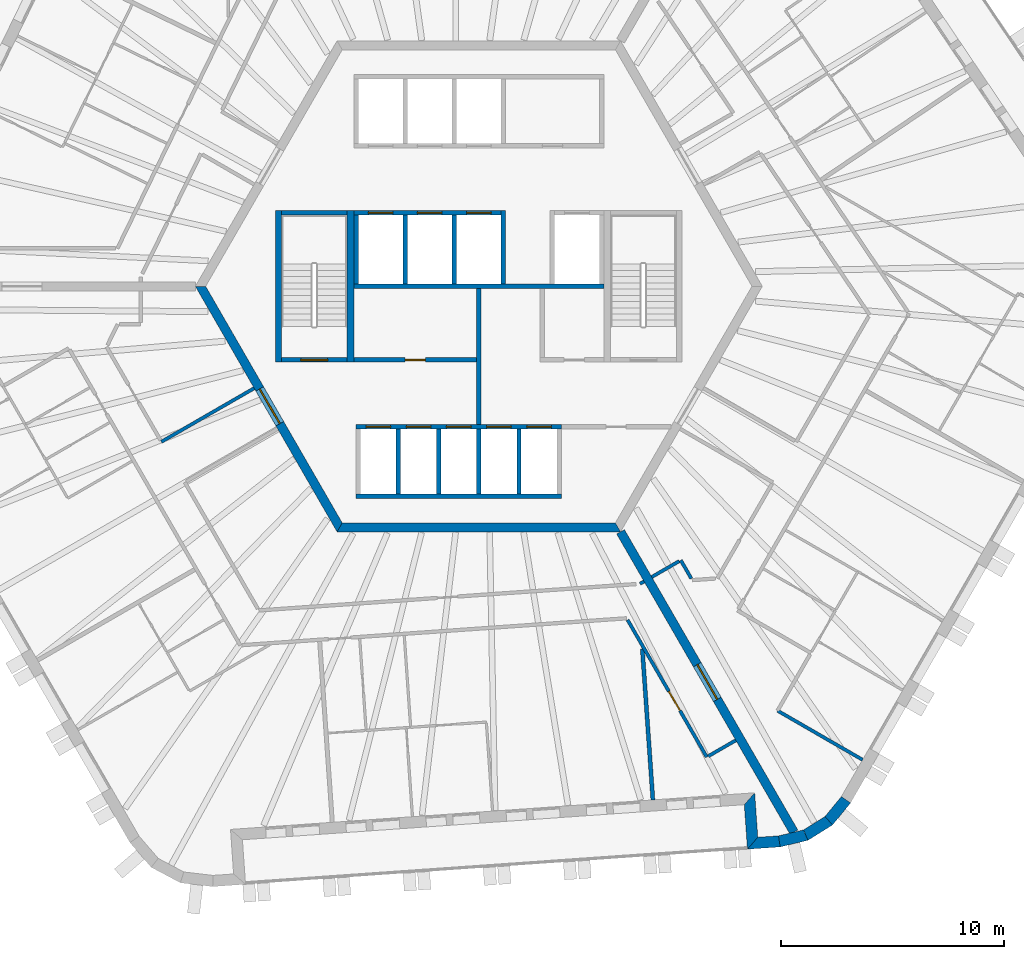
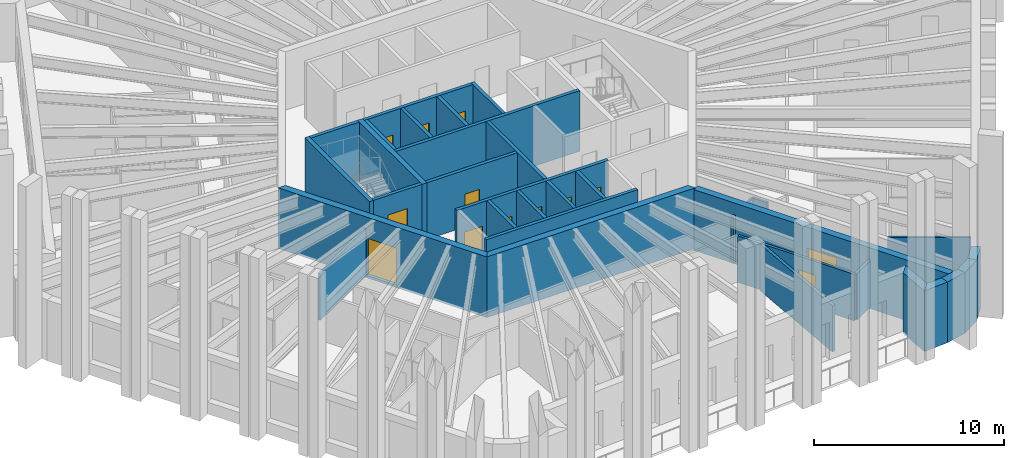
# One storey, part 5 of 13: 34 walls, 13 doors, 13 openings.
"""IFC4 building model written with IfcOpenShell, lengths in metres."""

from ifc_helpers import new_model, si_unit, direction, frame, frame_2d, origin, place, context, subcontext, project, spatial, polyline, rectangle, outline, extrude, material, layer, layer_set, type_object, element, fill, save


model = new_model("IFC4")

# Units and contexts
model_context = context("Model", 3, precision=1e-05, world=origin(), true_north=direction((0.0, 1.0)))
body_context = subcontext(model_context, "Body", "Model", "MODEL_VIEW")
ifc_project = project(units=[si_unit("LENGTHUNIT", "METRE"), si_unit("AREAUNIT", "SQUARE_METRE"), si_unit("VOLUMEUNIT", "CUBIC_METRE"), si_unit("PLANEANGLEUNIT", "RADIAN"), si_unit("MASSUNIT", "GRAM", prefix="KILO")], contexts=[model_context])

# Site, building, storey
site_placement = place(None, origin())
site = spatial("IfcSite", under=ifc_project, at=site_placement, CompositionType="ELEMENT")
building_placement = place(site_placement, origin())
building = spatial("IfcBuilding", under=site, at=building_placement, Name="Tarnside Tower", CompositionType="ELEMENT")
storey_placement = place(building_placement, frame((0.0, 0.0, 279.60009765625)))
storey = spatial("IfcBuildingStorey", under=building, at=storey_placement, Name="L67", CompositionType="ELEMENT", Elevation=279.60009765625)

# Wall, opening, door
ifc_material_1 = material(Name="Concrete C40/50", Category="concrete")
ifc_layer_1 = layer(ifc_material_1, 0.199951171875)
ifc_layer_set_1 = layer_set([ifc_layer_1], Name="Core room partition 200 C40/50")
wall_type_1 = type_object("IfcWallType", Name="Core room partition 200 C40/50", PredefinedType="PARTITIONING", material=ifc_layer_set_1)
wall_1_placement = place(storey_placement, frame((-5.60009765625, -3.300048828125, 0.0), z_axis=(0.0, 0.0, 1.0), x_axis=(1.0, 0.0, 0.0)))
wall_1 = element("IfcWall", 1, at=wall_1_placement, inside=storey, type_object=wall_type_1, Name="L67 core partition W3", PredefinedType="PARTITIONING", context=body_context, shape_type="SweptSolid", body=[
    extrude(rectangle(XDim=5.5, YDim=0.199951171875, at=frame_2d((2.75, 0.0))), origin(), (0.0, 0.0, 1.0), 3.64990234375),
])
opening_1_placement = place(wall_1_placement, frame((2.300048828125, 0.0, 0.0)))
opening_1 = element("IfcOpeningElement", 2, at=opening_1_placement, cuts=wall_1, Name="Opening CD-room", PredefinedType="OPENING", context=body_context, shape_type="SweptSolid", body=[
    extrude(rectangle(XDim=0.89990234375, YDim=2.10009765625, at=frame_2d((0.449951171875, 1.050048828125))), frame((0.0, 0.10986328125, 0.0), z_axis=(0.0, -1.0, 0.0), x_axis=(1.0, 0.0, 0.0)), (0.0, 0.0, 1.0), 0.219970703125),
])
ifc_material_2 = material(Name="Steel fire door", Category="steel")
door_type_1 = type_object("IfcDoorType", Name="Room door FD60 900x2100", OperationType="NOTDEFINED", PredefinedType="DOOR", material=ifc_material_2)
door_1_placement = place(opening_1_placement, origin())
door_1 = element("IfcDoor", 3, at=door_1_placement, inside=storey, type_object=door_type_1, Name="L67 core room door W3D", OperationType="SINGLE_SWING_LEFT", OverallHeight=2.10009765625, OverallWidth=0.89990234375, PredefinedType="DOOR", context=body_context, shape_type="SweptSolid", body=[
    extrude(rectangle(XDim=0.89990234375, YDim=2.10009765625, at=frame_2d((0.449951171875, 1.050048828125))), frame((0.0, 0.02490234375, 0.0), z_axis=(0.0, -1.0, 0.0), x_axis=(1.0, 0.0, 0.0)), (0.0, 0.0, 1.0), 0.050048828125),
])
fill(opening_1, door_1)

# Wall
wall_2_placement = place(storey_placement, frame((0.0, -6.199951171875, 0.0), z_axis=(0.0, 0.0, 1.0), x_axis=(0.0, 1.0, 0.0)))
element("IfcWall", 4, at=wall_2_placement, inside=storey, type_object=wall_type_1, Name="L67 core partition X0", PredefinedType="PARTITIONING", context=body_context, shape_type="SweptSolid", body=[
    extrude(rectangle(XDim=6.099853515625, YDim=0.199951171875, at=frame_2d((3.0498046875, 0.0))), origin(), (0.0, 0.0, 1.0), 3.64990234375),
])

# Wall, opening, door
ifc_material_3 = material(Name="Concrete C60/75", Category="concrete")
ifc_layer_2 = layer(ifc_material_3, 0.39990234375)
ifc_layer_set_2 = layer_set([ifc_layer_2], Name="Core wall Z3 400 C60/75")
wall_type_2 = type_object("IfcWallType", Name="Core wall Z3 400 C60/75", PredefinedType="SHEAR", material=ifc_layer_set_2)
wall_3_placement = place(storey_placement, frame((-12.470703125, 0.0, -0.150146484375), z_axis=(0.0, 0.0, 1.0), x_axis=(0.499996419489, -0.866027470984, 0.0)))
wall_3 = element("IfcWall", 5, at=wall_3_placement, inside=storey, type_object=wall_type_2, Name="L67 core wall face 3", PredefinedType="SHEAR", context=body_context, shape_type="SweptSolid", body=[
    extrude(outline(polyline([(-0.115478515625, -0.199951171875), (12.586181640625, -0.199951171875), (12.355224609375, 0.199951171875), (0.115478515625, 0.199951171875), (-0.115478515625, -0.199951171875)])), origin(), (0.0, 0.0, 1.0), 3.900146484375),
])
opening_2_placement = place(wall_3_placement, frame((5.306396484375, 0.0, 0.14990234375)))
opening_2 = element("IfcOpeningElement", 6, at=opening_2_placement, cuts=wall_3, Name="Opening CD-FFL", PredefinedType="OPENING", context=body_context, shape_type="SweptSolid", body=[
    extrude(rectangle(XDim=1.800048828125, YDim=2.39990234375, at=frame_2d((0.89990234375, 1.199951171875))), frame((0.0, 0.2099609375, 0.0), z_axis=(0.0, -1.0, 0.0), x_axis=(1.0, 0.0, 0.0)), (0.0, 0.0, 1.0), 0.419921875),
])
door_type_2 = type_object("IfcDoorType", Name="Firefighting lobby double door FD60S 1800x2400", OperationType="NOTDEFINED", PredefinedType="DOOR", material=ifc_material_2)
door_2_placement = place(opening_2_placement, origin())
door_2 = element("IfcDoor", 7, at=door_2_placement, inside=storey, type_object=door_type_2, Name="L67 core door P3", OperationType="DOUBLE_DOOR_SINGLE_SWING", OverallHeight=2.39990234375, OverallWidth=1.800048828125, PredefinedType="DOOR", context=body_context, shape_type="SweptSolid", body=[
    extrude(rectangle(XDim=1.800048828125, YDim=2.39990234375, at=frame_2d((0.89990234375, 1.199951171875))), frame((0.0, 0.02490234375, 0.0), z_axis=(0.0, -1.0, 0.0), x_axis=(1.0, 0.0, 0.0)), (0.0, 0.0, 1.0), 0.050048828125),
])
fill(opening_2, door_2)

# Wall
wall_4_placement = place(storey_placement, frame((-6.2353515625, -10.800048828125, -0.150146484375), z_axis=(0.0, 0.0, 1.0), x_axis=(1.0, 0.0, 0.0)))
element("IfcWall", 8, at=wall_4_placement, inside=storey, type_object=wall_type_2, Name="L67 core wall face 4", PredefinedType="SHEAR", context=body_context, shape_type="SweptSolid", body=[
    extrude(outline(polyline([(-0.115478515625, -0.199951171875), (12.586181640625, -0.199951171875), (12.355224609375, 0.199951171875), (0.115478515625, 0.199951171875), (-0.115478515625, -0.199951171875)])), origin(), (0.0, 0.0, 1.0), 3.900146484375),
])

# Wall, opening, door
wall_5_placement = place(storey_placement, frame((6.350830078125, -11.0, -0.150146484375), z_axis=(0.0, 0.0, 1.0), x_axis=(0.499998894578, -0.866026041999, 0.0)))
wall_5 = element("IfcWall", 9, at=wall_5_placement, inside=storey, type_object=wall_type_2, Name="L67 spine wall 3", PredefinedType="SHEAR", context=body_context, shape_type="SweptSolid", body=[
    extrude(rectangle(XDim=15.54443359375, YDim=0.39990234375, at=frame_2d((7.772216796875, 0.0))), origin(), (0.0, 0.0, 1.0), 3.900146484375),
])
opening_3_placement = place(wall_5_placement, frame((6.872314453125, 0.0, 0.14990234375)))
opening_3 = element("IfcOpeningElement", 10, at=opening_3_placement, cuts=wall_5, Name="Opening CD-SPN", PredefinedType="OPENING", context=body_context, shape_type="SweptSolid", body=[
    extrude(rectangle(XDim=1.800048828125, YDim=2.39990234375, at=frame_2d((0.89990234375, 1.199951171875))), frame((0.0, 0.2099609375, 0.0), z_axis=(0.0, -1.0, 0.0), x_axis=(1.0, 0.0, 0.0)), (0.0, 0.0, 1.0), 0.419921875),
])
door_type_3 = type_object("IfcDoorType", Name="Spine passage double door FD60 1800x2400", OperationType="NOTDEFINED", PredefinedType="DOOR", material=ifc_material_2)
door_3_placement = place(opening_3_placement, origin())
door_3 = element("IfcDoor", 11, at=door_3_placement, inside=storey, type_object=door_type_3, Name="L67 spine passage door 3", OperationType="DOUBLE_DOOR_SINGLE_SWING", OverallHeight=2.39990234375, OverallWidth=1.800048828125, PredefinedType="DOOR", context=body_context, shape_type="SweptSolid", body=[
    extrude(rectangle(XDim=1.800048828125, YDim=2.39990234375, at=frame_2d((0.89990234375, 1.199951171875))), frame((0.0, 0.02490234375, 0.0), z_axis=(0.0, -1.0, 0.0), x_axis=(1.0, 0.0, 0.0)), (0.0, 0.0, 1.0), 0.050048828125),
])
fill(opening_3, door_3)

ifc_material_4 = material(Name="Gypsum board partition on steel studs", Category="steel")
ifc_layer_3 = layer(ifc_material_4, 0.14990234375)
ifc_layer_set_3 = layer_set([ifc_layer_3], Name="Corridor wall 150 EI 60")
wall_type_3 = type_object("IfcWallType", Name="Corridor wall 150 EI 60", PredefinedType="PARTITIONING", material=ifc_layer_set_3)
wall_6_placement = place(storey_placement, frame((6.666259765625, -14.9462890625, 0.0), z_axis=(0.0, 0.0, 1.0), x_axis=(0.499979539361, -0.866037216418, 0.0)))
wall_6 = element("IfcWall", 12, at=wall_6_placement, inside=storey, type_object=wall_type_3, Name="Corridor wall 22041", PredefinedType="PARTITIONING", context=body_context, shape_type="SweptSolid", body=[
    extrude(rectangle(XDim=7.096923828125, YDim=0.14990234375, at=frame_2d((3.54833984375, 0.0))), origin(), (0.0, 0.0, 1.0), 2.98779296875),
])
opening_4_placement = place(wall_6_placement, frame((3.696044921875, 0.0, 0.0)))
opening_4 = element("IfcOpeningElement", 13, at=opening_4_placement, cuts=wall_6, Name="Opening D-E1", PredefinedType="OPENING", context=body_context, shape_type="SweptSolid", body=[
    extrude(rectangle(XDim=1.0, YDim=2.10009765625, at=frame_2d((0.5, 1.050048828125))), frame((0.0, 0.0849609375, 0.0), z_axis=(0.0, -1.0, 0.0), x_axis=(1.0, 0.0, 0.0)), (0.0, 0.0, 1.0), 0.169921875),
])
ifc_material_5 = material(Name="Timber door leaf", Category="wood")
door_type_4 = type_object("IfcDoorType", Name="Unit entrance door 1000 FD30S", OperationType="NOTDEFINED", PredefinedType="DOOR", material=ifc_material_5)
door_4_placement = place(opening_4_placement, origin())
door_4 = element("IfcDoor", 14, at=door_4_placement, inside=storey, type_object=door_type_4, Name="Unit door 22054", OperationType="SINGLE_SWING_RIGHT", OverallHeight=2.10009765625, OverallWidth=1.0, PredefinedType="DOOR", context=body_context, shape_type="SweptSolid", body=[
    extrude(rectangle(XDim=1.0, YDim=2.10009765625, at=frame_2d((0.5, 1.050048828125))), frame((0.0, 0.02490234375, 0.0), z_axis=(0.0, -1.0, 0.0), x_axis=(1.0, 0.0, 0.0)), (0.0, 0.0, 1.0), 0.050048828125),
])
fill(opening_4, door_4)

# Walls
wall_7_placement = place(storey_placement, frame((10.27978515625, -21.054931640625, 0.0), z_axis=(0.0, 0.0, 1.0), x_axis=(0.866020080793, 0.500009219579, 0.0)))
element("IfcWall", 15, at=wall_7_placement, inside=storey, type_object=wall_type_3, Name="Corridor wall 22045", PredefinedType="PARTITIONING", context=body_context, shape_type="SweptSolid", body=[
    extrude(rectangle(XDim=1.4248046875, YDim=0.14990234375, at=frame_2d((0.71240234375, 0.0))), origin(), (0.0, 0.0, 1.0), 2.98779296875),
])
wall_8_placement = place(storey_placement, frame((-10.065673828125, -4.565673828125, 0.0), z_axis=(0.0, 0.0, 1.0), x_axis=(-0.866037363387, -0.499979284789, 0.0)))
element("IfcWall", 16, at=wall_8_placement, inside=storey, type_object=wall_type_3, Name="Corridor wall 22046", PredefinedType="PARTITIONING", context=body_context, shape_type="SweptSolid", body=[
    extrude(rectangle(XDim=4.800048828125, YDim=0.14990234375, at=frame_2d((2.39990234375, 0.0))), origin(), (0.0, 0.0, 1.0), 2.98779296875),
])
wall_9_placement = place(storey_placement, frame((7.40380859375, -13.2236328125, 0.0), z_axis=(0.0, 0.0, 1.0), x_axis=(-0.866088799389, -0.499890179513, 0.0)))
element("IfcWall", 17, at=wall_9_placement, inside=storey, type_object=wall_type_3, Name="Corridor wall 22051", PredefinedType="PARTITIONING", context=body_context, shape_type="SweptSolid", body=[
    extrude(rectangle(XDim=0.2099609375, YDim=0.14990234375, at=frame_2d((0.10498046875, 0.0))), origin(), (0.0, 0.0, 1.0), 2.98779296875),
])
wall_10_placement = place(storey_placement, frame((17.196044921875, -21.215576171875, 0.0), z_axis=(0.0, 0.0, 1.0), x_axis=(-0.866010893236, 0.500025132165, 0.0)))
element("IfcWall", 18, at=wall_10_placement, inside=storey, type_object=wall_type_3, Name="Corridor wall 22060", PredefinedType="PARTITIONING", context=body_context, shape_type="SweptSolid", body=[
    extrude(rectangle(XDim=4.398681640625, YDim=0.14990234375, at=frame_2d((2.19921875, 0.0))), origin(), (0.0, 0.0, 1.0), 2.98779296875),
])
wall_11_placement = place(storey_placement, frame((9.52197265625, -13.0927734375, 0.0), z_axis=(0.0, 0.0, 1.0), x_axis=(-0.499804398801, 0.866138304741, 0.0)))
element("IfcWall", 19, at=wall_11_placement, inside=storey, type_object=wall_type_3, Name="Corridor wall 22079", PredefinedType="PARTITIONING", context=body_context, shape_type="SweptSolid", body=[
    extrude(rectangle(XDim=0.94580078125, YDim=0.14990234375, at=frame_2d((0.472900390625, 0.0))), origin(), (0.0, 0.0, 1.0), 2.98779296875),
])
wall_12_placement = place(storey_placement, frame((8.984130859375, -12.311279296875, 0.0), z_axis=(0.0, 0.0, 1.0), x_axis=(-0.866020080793, -0.500009219579, 0.0)))
element("IfcWall", 20, at=wall_12_placement, inside=storey, type_object=wall_type_3, Name="Corridor wall 22080", PredefinedType="PARTITIONING", context=body_context, shape_type="SweptSolid", body=[
    extrude(rectangle(XDim=1.4248046875, YDim=0.14990234375, at=frame_2d((0.71240234375, 0.0))), origin(), (0.0, 0.0, 1.0), 2.98779296875),
])
ifc_layer_4 = layer(ifc_material_4, 0.179931640625)
ifc_layer_set_4 = layer_set([ifc_layer_4], Name="Demising wall 180 EI 60")
wall_type_4 = type_object("IfcWallType", Name="Demising wall 180 EI 60", PredefinedType="PARTITIONING", material=ifc_layer_set_4)
wall_13_placement = place(storey_placement, frame((7.799560546875, -23.011962890625, 0.0), z_axis=(0.0, 0.0, 1.0), x_axis=(-0.069757205717, 0.997563999075, 0.0)))
element("IfcWall", 21, at=wall_13_placement, inside=storey, type_object=wall_type_4, Name="Demising wall 22140", PredefinedType="PARTITIONING", context=body_context, shape_type="SweptSolid", body=[
    extrude(rectangle(XDim=6.789794921875, YDim=0.179931640625, at=frame_2d((3.39501953125, 0.0))), origin(), (0.0, 0.0, 1.0), 2.98779296875),
])

# Wall, openings, doors
ifc_layer_5 = layer(ifc_material_1, 0.199951171875)
ifc_layer_set_5 = layer_set([ifc_layer_5], Name="Lift shaft wall 200 C40/50")
wall_type_5 = type_object("IfcWallType", Name="Lift shaft wall 200 C40/50", PredefinedType="SHEAR", material=ifc_layer_set_5)
wall_14_placement = place(storey_placement, frame((-5.60009765625, 3.300048828125, -0.25), z_axis=(0.0, 0.0, 1.0), x_axis=(1.0, 0.0, 0.0)))
wall_14 = element("IfcWall", 22, at=wall_14_placement, inside=storey, type_object=wall_type_5, Name="L67 lift shaft front wall R2", PredefinedType="SHEAR", context=body_context, shape_type="SweptSolid", body=[
    extrude(rectangle(XDim=6.60009765625, YDim=0.199951171875, at=frame_2d((3.300048828125, 0.0))), origin(), (0.0, 0.0, 1.0), 3.89990234375),
])
opening_5_placement = place(wall_14_placement, frame((0.64990234375, 0.0, 0.25)))
opening_5 = element("IfcOpeningElement", 23, at=opening_5_placement, cuts=wall_14, Name="Opening LD", PredefinedType="OPENING", context=body_context, shape_type="SweptSolid", body=[
    extrude(rectangle(XDim=1.10009765625, YDim=2.10009765625, at=frame_2d((0.550048828125, 1.050048828125))), frame((0.0, 0.10986328125, 0.0), z_axis=(0.0, -1.0, 0.0), x_axis=(1.0, 0.0, 0.0)), (0.0, 0.0, 1.0), 0.219970703125),
])
opening_6_placement = place(wall_14_placement, frame((2.85009765625, 0.0, 0.25)))
opening_6 = element("IfcOpeningElement", 24, at=opening_6_placement, cuts=wall_14, Name="Opening LD", PredefinedType="OPENING", context=body_context, shape_type="SweptSolid", body=[
    extrude(rectangle(XDim=1.10009765625, YDim=2.10009765625, at=frame_2d((0.550048828125, 1.050048828125))), frame((0.0, 0.10986328125, 0.0), z_axis=(0.0, -1.0, 0.0), x_axis=(1.0, 0.0, 0.0)), (0.0, 0.0, 1.0), 0.219970703125),
])
opening_7_placement = place(wall_14_placement, frame((5.050048828125, 0.0, 0.25)))
opening_7 = element("IfcOpeningElement", 25, at=opening_7_placement, cuts=wall_14, Name="Opening LD", PredefinedType="OPENING", context=body_context, shape_type="SweptSolid", body=[
    extrude(rectangle(XDim=1.10009765625, YDim=2.10009765625, at=frame_2d((0.550048828125, 1.050048828125))), frame((0.0, 0.10986328125, 0.0), z_axis=(0.0, -1.0, 0.0), x_axis=(1.0, 0.0, 0.0)), (0.0, 0.0, 1.0), 0.219970703125),
])
ifc_material_6 = material(Name="Stainless steel", Category="steel")
door_type_5 = type_object("IfcDoorType", Name="Lift landing door 1100x2100", OperationType="NOTDEFINED", PredefinedType="DOOR", material=ifc_material_6)
door_5_placement = place(opening_5_placement, origin())
door_5 = element("IfcDoor", 26, at=door_5_placement, inside=storey, type_object=door_type_5, Name="High-rise lift 4 landing door L67", OperationType="SLIDING_TO_LEFT", OverallHeight=2.10009765625, OverallWidth=1.10009765625, PredefinedType="DOOR", context=body_context, shape_type="SweptSolid", body=[
    extrude(rectangle(XDim=1.10009765625, YDim=2.10009765625, at=frame_2d((0.550048828125, 1.050048828125))), frame((0.0, 0.02490234375, 0.0), z_axis=(0.0, -1.0, 0.0), x_axis=(1.0, 0.0, 0.0)), (0.0, 0.0, 1.0), 0.050048828125),
])
fill(opening_5, door_5)
door_6_placement = place(opening_6_placement, origin())
door_6 = element("IfcDoor", 27, at=door_6_placement, inside=storey, type_object=door_type_5, Name="High-rise lift 5 landing door L67", OperationType="SLIDING_TO_LEFT", OverallHeight=2.10009765625, OverallWidth=1.10009765625, PredefinedType="DOOR", context=body_context, shape_type="SweptSolid", body=[
    extrude(rectangle(XDim=1.10009765625, YDim=2.10009765625, at=frame_2d((0.550048828125, 1.050048828125))), frame((0.0, 0.02490234375, 0.0), z_axis=(0.0, -1.0, 0.0), x_axis=(1.0, 0.0, 0.0)), (0.0, 0.0, 1.0), 0.050048828125),
])
fill(opening_6, door_6)
door_7_placement = place(opening_7_placement, origin())
door_7 = element("IfcDoor", 28, at=door_7_placement, inside=storey, type_object=door_type_5, Name="High-rise lift 6 landing door L67", OperationType="SLIDING_TO_LEFT", OverallHeight=2.10009765625, OverallWidth=1.10009765625, PredefinedType="DOOR", context=body_context, shape_type="SweptSolid", body=[
    extrude(rectangle(XDim=1.10009765625, YDim=2.10009765625, at=frame_2d((0.550048828125, 1.050048828125))), frame((0.0, 0.02490234375, 0.0), z_axis=(0.0, -1.0, 0.0), x_axis=(1.0, 0.0, 0.0)), (0.0, 0.0, 1.0), 0.050048828125),
])
fill(opening_7, door_7)

# Walls
wall_15_placement = place(storey_placement, frame((-5.60009765625, 0.0, -0.25), z_axis=(0.0, 0.0, 1.0), x_axis=(1.0, 0.0, 0.0)))
element("IfcWall", 29, at=wall_15_placement, inside=storey, type_object=wall_type_5, Name="L67 lift shaft back wall R2", PredefinedType="SHEAR", context=body_context, shape_type="SweptSolid", body=[
    extrude(rectangle(XDim=11.2001953125, YDim=0.199951171875, at=frame_2d((5.60009765625, 0.0))), origin(), (0.0, 0.0, 1.0), 3.89990234375),
])
for number, where, z_axis, x_axis, name in (
    (30, (-5.5, 0.10009765625, -0.25), (0.0, 0.0, 1.0), (0.0, 1.0, 0.0), "L67 lift shaft partition R21"),
    (31, (-3.300048828125, 0.10009765625, -0.25), (0.0, 0.0, 1.0), (0.0, 1.0, 0.0), "L67 lift shaft partition R22"),
    (32, (-1.10009765625, 0.10009765625, -0.25), (0.0, 0.0, 1.0), (0.0, 1.0, 0.0), "L67 lift shaft partition R23"),
):
    element("IfcWall", number, at=place(storey_placement, frame(where, z_axis=z_axis, x_axis=x_axis)), inside=storey, type_object=wall_type_5, Name=name, PredefinedType="SHEAR", context=body_context, shape_type="SweptSolid", body=[
        extrude(rectangle(XDim=3.099853515625, YDim=0.199951171875, at=frame_2d((1.5498046875, 0.0))), origin(), (0.0, 0.0, 1.0), 3.89990234375),
    ])
wall_16_placement = place(storey_placement, frame((1.10009765625, 0.10009765625, -0.25), z_axis=(0.0, 0.0, 1.0), x_axis=(0.0, 1.0, 0.0)))
element("IfcWall", 33, at=wall_16_placement, inside=storey, type_object=wall_type_5, Name="L67 lift shaft partition R24", PredefinedType="SHEAR", context=body_context, shape_type="SweptSolid", body=[
    extrude(rectangle(XDim=3.2998046875, YDim=0.199951171875, at=frame_2d((1.64990234375, 0.0))), origin(), (0.0, 0.0, 1.0), 3.89990234375),
])

# Wall, openings, doors
wall_17_placement = place(storey_placement, frame((-5.5, -6.300048828125, -0.25), z_axis=(0.0, 0.0, 1.0), x_axis=(1.0, 0.0, 0.0)))
wall_17 = element("IfcWall", 34, at=wall_17_placement, inside=storey, type_object=wall_type_5, Name="L67 lift shaft front wall R4", PredefinedType="SHEAR", context=body_context, shape_type="SweptSolid", body=[
    extrude(rectangle(XDim=9.199951171875, YDim=0.199951171875, at=frame_2d((4.60009765625, 0.0))), origin(), (0.0, 0.0, 1.0), 3.89990234375),
])
opening_8_placement = place(wall_17_placement, frame((0.449951171875, 0.0, 0.25)))
opening_8 = element("IfcOpeningElement", 35, at=opening_8_placement, cuts=wall_17, Name="Opening LDF", PredefinedType="OPENING", context=body_context, shape_type="SweptSolid", body=[
    extrude(rectangle(XDim=1.10009765625, YDim=2.10009765625, at=frame_2d((0.550048828125, 1.050048828125))), frame((0.0, 0.10986328125, 0.0), z_axis=(0.0, -1.0, 0.0), x_axis=(1.0, 0.0, 0.0)), (0.0, 0.0, 1.0), 0.219970703125),
])
opening_9_placement = place(wall_17_placement, frame((2.25, 0.0, 0.25)))
opening_9 = element("IfcOpeningElement", 36, at=opening_9_placement, cuts=wall_17, Name="Opening LDF", PredefinedType="OPENING", context=body_context, shape_type="SweptSolid", body=[
    extrude(rectangle(XDim=1.10009765625, YDim=2.10009765625, at=frame_2d((0.550048828125, 1.050048828125))), frame((0.0, 0.10986328125, 0.0), z_axis=(0.0, -1.0, 0.0), x_axis=(1.0, 0.0, 0.0)), (0.0, 0.0, 1.0), 0.219970703125),
])
opening_10_placement = place(wall_17_placement, frame((4.050048828125, 0.0, 0.25)))
opening_10 = element("IfcOpeningElement", 37, at=opening_10_placement, cuts=wall_17, Name="Opening LDF", PredefinedType="OPENING", context=body_context, shape_type="SweptSolid", body=[
    extrude(rectangle(XDim=1.10009765625, YDim=2.10009765625, at=frame_2d((0.550048828125, 1.050048828125))), frame((0.0, 0.10986328125, 0.0), z_axis=(0.0, -1.0, 0.0), x_axis=(1.0, 0.0, 0.0)), (0.0, 0.0, 1.0), 0.219970703125),
])
opening_11_placement = place(wall_17_placement, frame((5.85009765625, 0.0, 0.25)))
opening_11 = element("IfcOpeningElement", 38, at=opening_11_placement, cuts=wall_17, Name="Opening LDF", PredefinedType="OPENING", context=body_context, shape_type="SweptSolid", body=[
    extrude(rectangle(XDim=1.10009765625, YDim=2.10009765625, at=frame_2d((0.550048828125, 1.050048828125))), frame((0.0, 0.10986328125, 0.0), z_axis=(0.0, -1.0, 0.0), x_axis=(1.0, 0.0, 0.0)), (0.0, 0.0, 1.0), 0.219970703125),
])
opening_12_placement = place(wall_17_placement, frame((7.64990234375, 0.0, 0.25)))
opening_12 = element("IfcOpeningElement", 39, at=opening_12_placement, cuts=wall_17, Name="Opening LDF", PredefinedType="OPENING", context=body_context, shape_type="SweptSolid", body=[
    extrude(rectangle(XDim=1.10009765625, YDim=2.10009765625, at=frame_2d((0.550048828125, 1.050048828125))), frame((0.0, 0.10986328125, 0.0), z_axis=(0.0, -1.0, 0.0), x_axis=(1.0, 0.0, 0.0)), (0.0, 0.0, 1.0), 0.219970703125),
])
door_type_6 = type_object("IfcDoorType", Name="Lift landing door 1100x2100 EI 120", OperationType="NOTDEFINED", PredefinedType="DOOR", material=ifc_material_6)
door_8_placement = place(opening_8_placement, origin())
door_8 = element("IfcDoor", 40, at=door_8_placement, inside=storey, type_object=door_type_6, Name="Firefighting lift 1 landing door L67", OperationType="SLIDING_TO_LEFT", OverallHeight=2.10009765625, OverallWidth=1.10009765625, PredefinedType="DOOR", context=body_context, shape_type="SweptSolid", body=[
    extrude(rectangle(XDim=1.10009765625, YDim=2.10009765625, at=frame_2d((0.550048828125, 1.050048828125))), frame((0.0, 0.02490234375, 0.0), z_axis=(0.0, -1.0, 0.0), x_axis=(1.0, 0.0, 0.0)), (0.0, 0.0, 1.0), 0.050048828125),
])
fill(opening_8, door_8)
door_9_placement = place(opening_9_placement, origin())
door_9 = element("IfcDoor", 41, at=door_9_placement, inside=storey, type_object=door_type_6, Name="Firefighting lift 2 landing door L67", OperationType="SLIDING_TO_LEFT", OverallHeight=2.10009765625, OverallWidth=1.10009765625, PredefinedType="DOOR", context=body_context, shape_type="SweptSolid", body=[
    extrude(rectangle(XDim=1.10009765625, YDim=2.10009765625, at=frame_2d((0.550048828125, 1.050048828125))), frame((0.0, 0.02490234375, 0.0), z_axis=(0.0, -1.0, 0.0), x_axis=(1.0, 0.0, 0.0)), (0.0, 0.0, 1.0), 0.050048828125),
])
fill(opening_9, door_9)
door_10_placement = place(opening_10_placement, origin())
door_10 = element("IfcDoor", 42, at=door_10_placement, inside=storey, type_object=door_type_6, Name="Firefighting lift 3 landing door L67", OperationType="SLIDING_TO_LEFT", OverallHeight=2.10009765625, OverallWidth=1.10009765625, PredefinedType="DOOR", context=body_context, shape_type="SweptSolid", body=[
    extrude(rectangle(XDim=1.10009765625, YDim=2.10009765625, at=frame_2d((0.550048828125, 1.050048828125))), frame((0.0, 0.02490234375, 0.0), z_axis=(0.0, -1.0, 0.0), x_axis=(1.0, 0.0, 0.0)), (0.0, 0.0, 1.0), 0.050048828125),
])
fill(opening_10, door_10)
door_11_placement = place(opening_11_placement, origin())
door_11 = element("IfcDoor", 43, at=door_11_placement, inside=storey, type_object=door_type_6, Name="Firefighting lift 4 landing door L67", OperationType="SLIDING_TO_LEFT", OverallHeight=2.10009765625, OverallWidth=1.10009765625, PredefinedType="DOOR", context=body_context, shape_type="SweptSolid", body=[
    extrude(rectangle(XDim=1.10009765625, YDim=2.10009765625, at=frame_2d((0.550048828125, 1.050048828125))), frame((0.0, 0.02490234375, 0.0), z_axis=(0.0, -1.0, 0.0), x_axis=(1.0, 0.0, 0.0)), (0.0, 0.0, 1.0), 0.050048828125),
])
fill(opening_11, door_11)
door_12_placement = place(opening_12_placement, origin())
door_12 = element("IfcDoor", 44, at=door_12_placement, inside=storey, type_object=door_type_6, Name="Firefighting lift 5 landing door L67", OperationType="SLIDING_TO_LEFT", OverallHeight=2.10009765625, OverallWidth=1.10009765625, PredefinedType="DOOR", context=body_context, shape_type="SweptSolid", body=[
    extrude(rectangle(XDim=1.10009765625, YDim=2.10009765625, at=frame_2d((0.550048828125, 1.050048828125))), frame((0.0, 0.02490234375, 0.0), z_axis=(0.0, -1.0, 0.0), x_axis=(1.0, 0.0, 0.0)), (0.0, 0.0, 1.0), 0.050048828125),
])
fill(opening_12, door_12)

# Walls
wall_18_placement = place(storey_placement, frame((-5.5, -9.39990234375, -0.25), z_axis=(0.0, 0.0, 1.0), x_axis=(1.0, 0.0, 0.0)))
element("IfcWall", 45, at=wall_18_placement, inside=storey, type_object=wall_type_5, Name="L67 lift shaft back wall R4", PredefinedType="SHEAR", context=body_context, shape_type="SweptSolid", body=[
    extrude(rectangle(XDim=9.199951171875, YDim=0.199951171875, at=frame_2d((4.60009765625, 0.0))), origin(), (0.0, 0.0, 1.0), 3.89990234375),
])
for number, where, z_axis, x_axis, name in (
    (46, (-3.60009765625, -9.300048828125, -0.25), (0.0, 0.0, 1.0), (0.0, 1.0, 0.0), "L67 lift shaft partition R42"),
    (47, (-1.800048828125, -9.300048828125, -0.25), (0.0, 0.0, 1.0), (0.0, 1.0, 0.0), "L67 lift shaft partition R43"),
    (48, (0.0, -9.300048828125, -0.25), (0.0, 0.0, 1.0), (0.0, 1.0, 0.0), "L67 lift shaft partition R44"),
    (49, (1.800048828125, -9.300048828125, -0.25), (0.0, 0.0, 1.0), (0.0, 1.0, 0.0), "L67 lift shaft partition R45"),
):
    element("IfcWall", number, at=place(storey_placement, frame(where, z_axis=z_axis, x_axis=x_axis)), inside=storey, type_object=wall_type_5, Name=name, PredefinedType="SHEAR", context=body_context, shape_type="SweptSolid", body=[
        extrude(rectangle(XDim=2.900146484375, YDim=0.199951171875, at=frame_2d((1.4501953125, 0.0))), origin(), (0.0, 0.0, 1.0), 3.89990234375),
    ])
wall_19_placement = place(storey_placement, frame((-8.85009765625, 3.300048828125, -0.25), z_axis=(0.0, 0.0, 1.0), x_axis=(1.0, 0.0, 0.0)))
element("IfcWall", 50, at=wall_19_placement, inside=storey, type_object=wall_type_5, Name="L67 stair 2 enclosure cap wall n", PredefinedType="SHEAR", context=body_context, shape_type="SweptSolid", body=[
    extrude(rectangle(XDim=2.9501953125, YDim=0.199951171875, at=frame_2d((1.47509765625, 0.0))), origin(), (0.0, 0.0, 1.0), 3.89990234375),
])

# Wall, opening, door
wall_20_placement = place(storey_placement, frame((-8.85009765625, -3.300048828125, -0.25), z_axis=(0.0, 0.0, 1.0), x_axis=(1.0, 0.0, 0.0)))
wall_20 = element("IfcWall", 51, at=wall_20_placement, inside=storey, type_object=wall_type_5, Name="L67 stair 2 enclosure cap wall s", PredefinedType="SHEAR", context=body_context, shape_type="SweptSolid", body=[
    extrude(rectangle(XDim=2.9501953125, YDim=0.199951171875, at=frame_2d((1.47509765625, 0.0))), origin(), (0.0, 0.0, 1.0), 3.89990234375),
])
opening_13_placement = place(wall_20_placement, frame((0.875, 0.0, 0.25)))
opening_13 = element("IfcOpeningElement", 52, at=opening_13_placement, cuts=wall_20, Name="Opening CD-STR", PredefinedType="OPENING", context=body_context, shape_type="SweptSolid", body=[
    extrude(rectangle(XDim=1.199951171875, YDim=2.39990234375, at=frame_2d((0.60009765625, 1.199951171875))), frame((0.0, 0.10986328125, 0.0), z_axis=(0.0, -1.0, 0.0), x_axis=(1.0, 0.0, 0.0)), (0.0, 0.0, 1.0), 0.219970703125),
])
door_type_7 = type_object("IfcDoorType", Name="Stair door FD60S 1200x2400", OperationType="NOTDEFINED", PredefinedType="DOOR", material=ifc_material_2)
door_13_placement = place(opening_13_placement, origin())
door_13 = element("IfcDoor", 53, at=door_13_placement, inside=storey, type_object=door_type_7, Name="L67 stair 2 door", OperationType="SINGLE_SWING_LEFT", OverallHeight=2.39990234375, OverallWidth=1.199951171875, PredefinedType="DOOR", context=body_context, shape_type="SweptSolid", body=[
    extrude(rectangle(XDim=1.199951171875, YDim=2.39990234375, at=frame_2d((0.60009765625, 1.199951171875))), frame((0.0, 0.02490234375, 0.0), z_axis=(0.0, -1.0, 0.0), x_axis=(1.0, 0.0, 0.0)), (0.0, 0.0, 1.0), 0.050048828125),
])
fill(opening_13, door_13)

# Walls
ifc_material_7 = material(Name="Dark zinc cladding")
ifc_layer_6 = layer(ifc_material_7, 0.10205078125)
ifc_material_8 = material(Name="Concrete C60/75 precast", Category="concrete")
ifc_layer_7 = layer(ifc_material_8, 0.298095703125)
ifc_material_9 = material(Name="Mineral wool insulation")
ifc_layer_8 = layer(ifc_material_9, 0.10009765625)
ifc_layer_set_6 = layer_set([ifc_layer_6, ifc_layer_7, ifc_layer_8], Name="Loggia wall 500 zinc faced")
wall_type_6 = type_object("IfcWallType", Name="Loggia wall 500 zinc faced", PredefinedType="SOLIDWALL", material=ifc_layer_set_6)
wall_21_placement = place(storey_placement, frame((12.128662109375, -22.9599609375, -0.150146484375), z_axis=(0.0, 0.0, 1.0), x_axis=(0.069824268692, -0.99755930726, 0.0)))
element("IfcWall", 54, at=wall_21_placement, inside=storey, type_object=wall_type_6, Name="Tube wall L67 F4 return 19", PredefinedType="SOLIDWALL", context=body_context, shape_type="SweptSolid", body=[
    extrude(outline(polyline([(0.25, -0.25), (2.25, -0.25), (1.75, 0.25), (-0.25, 0.25), (0.25, -0.25)])), origin(), (0.0, 0.0, 1.0), 3.900146484375),
])
wall_22_placement = place(storey_placement, frame((12.268310546875, -24.955078125, -0.150146484375), z_axis=(0.0, 0.0, 1.0), x_axis=(0.997561942506, 0.06978660948, 0.0)))
element("IfcWall", 55, at=wall_22_placement, inside=storey, type_object=wall_type_6, Name="Tube wall L67 F4 stub 20", PredefinedType="SOLIDWALL", context=body_context, shape_type="SweptSolid", body=[
    extrude(outline(polyline([(-0.25, -0.25), (1.220458984375, -0.25), (1.179443359375, 0.25), (0.25, 0.25), (-0.25, -0.25)])), origin(), (0.0, 0.0, 1.0), 3.900146484375),
])
ifc_layer_9 = layer(ifc_material_1, 0.25)
ifc_layer_set_7 = layer_set([ifc_layer_9], Name="Stair enclosure wall 250 C40/50")
wall_type_7 = type_object("IfcWallType", Name="Stair enclosure wall 250 C40/50", PredefinedType="SHEAR", material=ifc_layer_set_7)
wall_23_placement = place(storey_placement, frame((-8.97509765625, -3.39990234375, -0.25), z_axis=(0.0, 0.0, 1.0), x_axis=(0.0, 1.0, 0.0)))
element("IfcWall", 56, at=wall_23_placement, inside=storey, type_object=wall_type_7, Name="L67 stair 2 enclosure wall outer", PredefinedType="SHEAR", context=body_context, shape_type="SweptSolid", body=[
    extrude(rectangle(XDim=6.7998046875, YDim=0.25, at=frame_2d((3.39990234375, 0.0))), origin(), (0.0, 0.0, 1.0), 3.89990234375),
])
ifc_layer_10 = layer(ifc_material_1, 0.300048828125)
ifc_layer_set_8 = layer_set([ifc_layer_10], Name="Stair enclosure wall 300 C40/50")
wall_type_8 = type_object("IfcWallType", Name="Stair enclosure wall 300 C40/50", PredefinedType="SHEAR", material=ifc_layer_set_8)
wall_24_placement = place(storey_placement, frame((-5.75, -3.39990234375, -0.25), z_axis=(0.0, 0.0, 1.0), x_axis=(0.0, 1.0, 0.0)))
element("IfcWall", 57, at=wall_24_placement, inside=storey, type_object=wall_type_8, Name="L67 stair 2 enclosure wall inner", PredefinedType="SHEAR", context=body_context, shape_type="SweptSolid", body=[
    extrude(rectangle(XDim=6.7998046875, YDim=0.300048828125, at=frame_2d((3.39990234375, 0.0))), origin(), (0.0, 0.0, 1.0), 3.89990234375),
])
ifc_material_10 = material(Name="Facing brick", Category="masonry")
ifc_layer_11 = layer(ifc_material_10, 0.10205078125)
ifc_layer_12 = layer(ifc_material_8, 0.298095703125)
ifc_layer_13 = layer(ifc_material_9, 0.10009765625)
ifc_layer_set_9 = layer_set([ifc_layer_11, ifc_layer_12, ifc_layer_13], Name="Tube wall 500 brick faced")
wall_type_9 = type_object("IfcWallType", Name="Tube wall 500 brick faced", PredefinedType="SOLIDWALL", material=ifc_layer_set_9)
wall_25_placement = place(storey_placement, frame((13.46533203125, -24.871337890625, -0.150146484375), z_axis=(0.0, 0.0, 1.0), x_axis=(0.973044740285, 0.230616420501, 0.0)))
element("IfcWall", 58, at=wall_25_placement, inside=storey, type_object=wall_type_9, Name="Tube wall L67 F4 chord 21", PredefinedType="SOLIDWALL", context=body_context, shape_type="SweptSolid", body=[
    extrude(outline(polyline([(-0.0205078125, -0.25), (1.25732421875, -0.25), (1.17529296875, 0.25), (0.0205078125, 0.25), (-0.0205078125, -0.25)])), origin(), (0.0, 0.0, 1.0), 3.900146484375),
])
wall_26_placement = place(storey_placement, frame((14.64892578125, -24.5908203125, -0.150146484375), z_axis=(0.0, 0.0, 1.0), x_axis=(0.848054682072, 0.529908724419, 0.0)))
element("IfcWall", 59, at=wall_26_placement, inside=storey, type_object=wall_type_9, Name="Tube wall L67 F4 chord 22", PredefinedType="SOLIDWALL", context=body_context, shape_type="SweptSolid", body=[
    extrude(outline(polyline([(-0.041015625, -0.25), (1.25732421875, -0.25), (1.17529296875, 0.25), (0.041015625, 0.25), (-0.041015625, -0.25)])), origin(), (0.0, 0.0, 1.0), 3.900146484375),
])
wall_27_placement = place(storey_placement, frame((15.680419921875, -23.9462890625, -0.150146484375), z_axis=(0.0, 0.0, 1.0), x_axis=(0.633805934167, 0.773492105852, 0.0)))
element("IfcWall", 60, at=wall_27_placement, inside=storey, type_object=wall_type_9, Name="Tube wall L67 F4 chord 23", PredefinedType="SOLIDWALL", context=body_context, shape_type="SweptSolid", body=[
    extrude(outline(polyline([(-0.041015625, -0.25), (1.237060546875, -0.25), (1.196044921875, 0.25), (0.041015625, 0.25), (-0.041015625, -0.25)])), origin(), (0.0, 0.0, 1.0), 3.900146484375),
])

save(model, "model.ifc")
